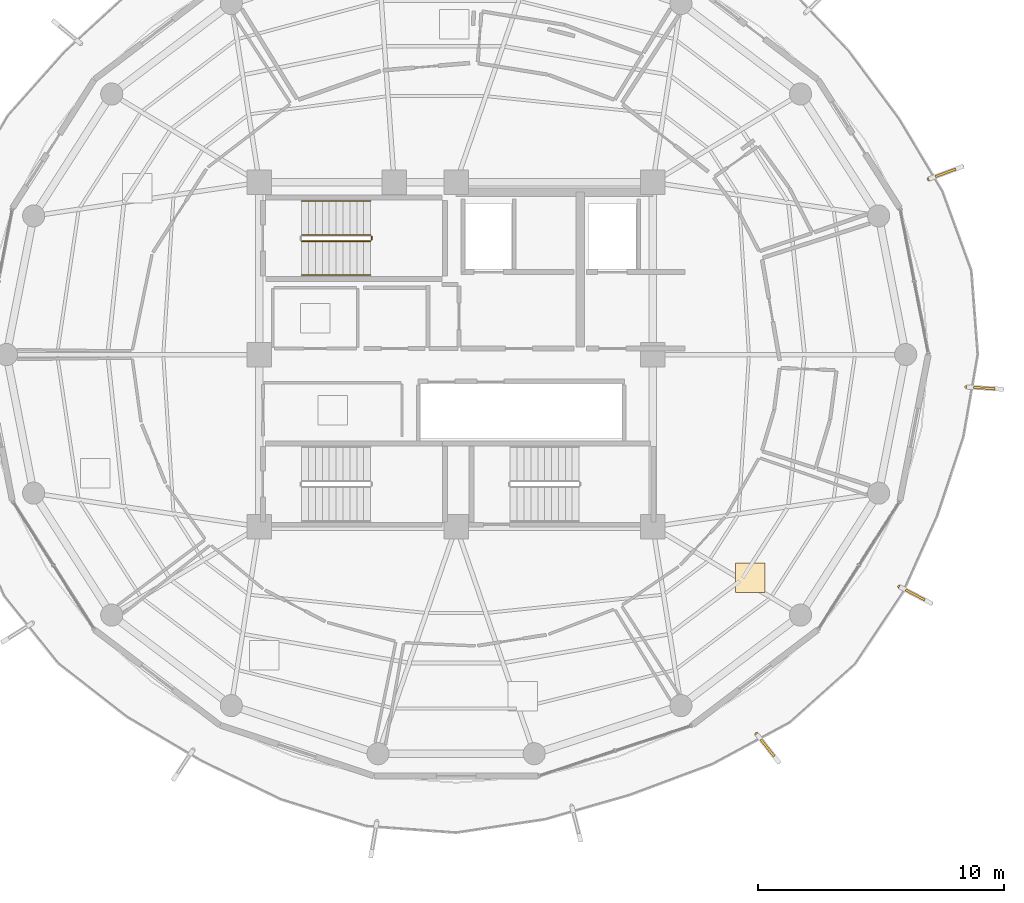
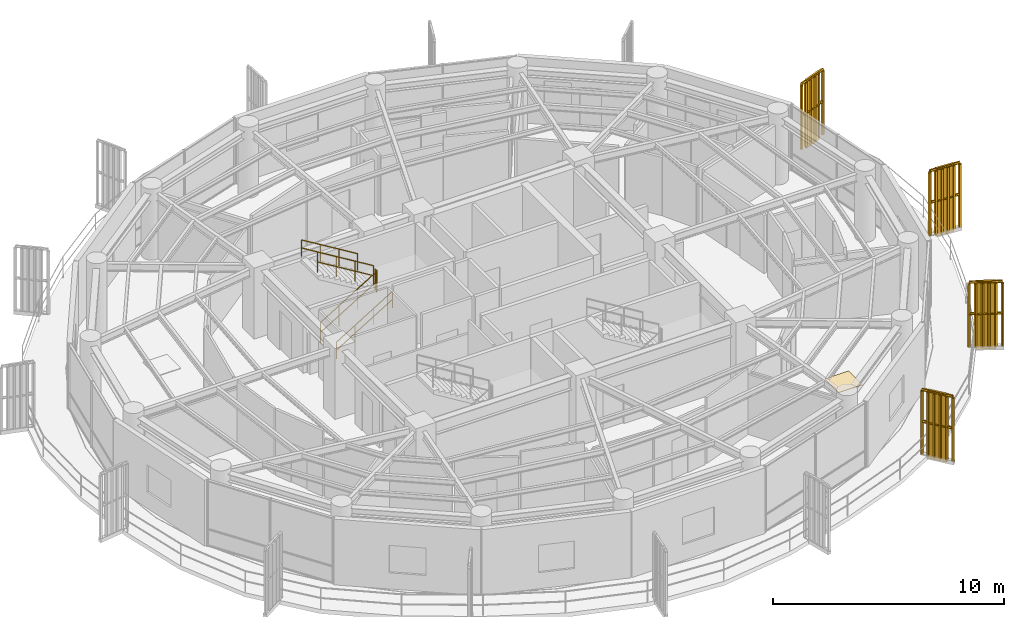
# One storey, part 21 of 22: 9 railings, 4 shading devices, 1 covering.
"""IFC4 building model written with IfcOpenShell, lengths in metres."""

from ifc_helpers import new_model, si_unit, direction, frame, origin, origin_2d, place, context, subcontext, project, spatial, polyline, rectangle, outline, extrude, source, transform, mapped, material, layer, layer_set, type_object, element, save


model = new_model("IFC4")

# Units and contexts
model_context = context("Model", 3, precision=1e-05, world=origin(), true_north=direction((0.0, 1.0)))
body_context = subcontext(model_context, "Body", "Model", "MODEL_VIEW")
ifc_project = project(units=[si_unit("LENGTHUNIT", "METRE"), si_unit("AREAUNIT", "SQUARE_METRE"), si_unit("VOLUMEUNIT", "CUBIC_METRE"), si_unit("PLANEANGLEUNIT", "RADIAN"), si_unit("MASSUNIT", "GRAM", prefix="KILO")], contexts=[model_context])

# Site, building, storey
site_placement = place(None, origin())
site = spatial("IfcSite", under=ifc_project, at=site_placement, CompositionType="ELEMENT")
building_placement = place(site_placement, origin())
building = spatial("IfcBuilding", under=site, at=building_placement, Name="Kelanora Arch Commons", CompositionType="ELEMENT")
storey_placement = place(building_placement, frame((0.0, 0.0, 263.699951171875)))
storey = spatial("IfcBuildingStorey", under=building, at=storey_placement, Name="L67", CompositionType="ELEMENT", Elevation=263.699951171875)

# Railings
ifc_material_1 = material(Name="Anodised bronze vertical shading fin rib assembly")
railing_type_1 = type_object("IfcRailingType", Name="RAIL-FIN-BRZ", PredefinedType="BALUSTRADE", material=ifc_material_1)
railing_1_placement = place(storey_placement, frame((92.02587890625, 48.56298828125, -0.02001953125)))
element("IfcRailing", 1, at=railing_1_placement, inside=storey, type_object=railing_type_1, Name="Sweeping Bronze Vertical Fin Blade L67-00", PredefinedType="BALUSTRADE", context=body_context, shape_type="SweptSolid", body=[
    extrude(outline(polyline([(0.06982421875, 0.0), (0.034912109375, 0.060546875), (-0.034912109375, 0.060546875), (-0.06982421875, 0.0), (-0.034912109375, -0.060546875), (0.034912109375, -0.060546875), (0.06982421875, 0.0)])), frame((0.0, 0.0, 3.419921875), z_axis=(0.885970224122, -0.463742128741, 0.0), x_axis=(0.463742128741, 0.885970224122, 0.0)), (0.0, 0.0, 1.0), 1.44677734375),
    extrude(outline(polyline([(0.06982421875, 0.0), (0.034912109375, 0.060546875), (-0.034912109375, 0.060546875), (-0.06982421875, 0.0), (-0.034912109375, -0.060546875), (0.034912109375, -0.060546875), (0.06982421875, 0.0)])), frame((0.0, 0.0, 1.7451171875), z_axis=(0.885970224122, -0.463742128741, 0.0), x_axis=(0.463742128741, 0.885970224122, 0.0)), (0.0, 0.0, 1.0), 1.44677734375),
    extrude(outline(polyline([(0.080078125, 0.0), (0.0400390625, 0.0693359375), (-0.0400390625, 0.0693359375), (-0.080078125, 0.0), (-0.0400390625, -0.0693359375), (0.0400390625, -0.0693359375), (0.080078125, 0.0)])), origin(), (0.0, 0.0, 1.0), 3.35009765625),
    extrude(outline(polyline([(0.080078125, 0.0), (0.0400390625, 0.0693359375), (-0.0400390625, 0.0693359375), (-0.080078125, 0.0), (-0.0400390625, -0.0693359375), (0.0400390625, -0.0693359375), (0.080078125, 0.0)])), frame((0.25634765625, -0.13427734375, 0.0)), (0.0, 0.0, 1.0), 3.35009765625),
    extrude(outline(polyline([(0.080078125, 0.0), (0.0400390625, 0.0693359375), (-0.0400390625, 0.0693359375), (-0.080078125, 0.0), (-0.0400390625, -0.0693359375), (0.0400390625, -0.0693359375), (0.080078125, 0.0)])), frame((0.5126953125, -0.268310546875, 0.0)), (0.0, 0.0, 1.0), 3.35009765625),
    extrude(outline(polyline([(0.080078125, 0.0), (0.0400390625, 0.0693359375), (-0.0400390625, 0.0693359375), (-0.080078125, 0.0), (-0.0400390625, -0.0693359375), (0.0400390625, -0.0693359375), (0.080078125, 0.0)])), frame((0.76904296875, -0.402587890625, 0.0)), (0.0, 0.0, 1.0), 3.35009765625),
    extrude(outline(polyline([(0.080078125, 0.0), (0.0400390625, 0.0693359375), (-0.0400390625, 0.0693359375), (-0.080078125, 0.0), (-0.0400390625, -0.0693359375), (0.0400390625, -0.0693359375), (0.080078125, 0.0)])), frame((1.025390625, -0.53662109375, 0.0)), (0.0, 0.0, 1.0), 3.35009765625),
    extrude(outline(polyline([(0.080078125, 0.0), (0.0400390625, 0.0693359375), (-0.0400390625, 0.0693359375), (-0.080078125, 0.0), (-0.0400390625, -0.0693359375), (0.0400390625, -0.0693359375), (0.080078125, 0.0)])), frame((1.28173828125, -0.6708984375, 0.0)), (0.0, 0.0, 1.0), 3.35009765625),
])
railing_2_placement = place(storey_placement, frame((94.751953125, 56.682373046875, -0.02001953125)))
element("IfcRailing", 2, at=railing_2_placement, inside=storey, type_object=railing_type_1, Name="Sweeping Bronze Vertical Fin Blade L67-01", PredefinedType="BALUSTRADE", context=body_context, shape_type="SweptSolid", body=[
    extrude(outline(polyline([(0.06982421875, 0.0), (0.034912109375, 0.060546875), (-0.034912109375, 0.060546875), (-0.06982421875, 0.0), (-0.034912109375, -0.060546875), (0.034912109375, -0.060546875), (0.06982421875, 0.0)])), frame((0.0, 0.0, 3.419921875), z_axis=(0.997995700186, -0.063281769964, 0.0), x_axis=(0.063281769964, 0.997995700186, 0.0)), (0.0, 0.0, 1.0), 1.44677734375),
    extrude(outline(polyline([(0.06982421875, 0.0), (0.034912109375, 0.060546875), (-0.034912109375, 0.060546875), (-0.06982421875, 0.0), (-0.034912109375, -0.060546875), (0.034912109375, -0.060546875), (0.06982421875, 0.0)])), frame((0.0, 0.0, 1.7451171875), z_axis=(0.997995700186, -0.063281769964, 0.0), x_axis=(0.063281769964, 0.997995700186, 0.0)), (0.0, 0.0, 1.0), 1.44677734375),
    extrude(outline(polyline([(0.080078125, 0.0), (0.0400390625, 0.0693359375), (-0.0400390625, 0.0693359375), (-0.080078125, 0.0), (-0.0400390625, -0.0693359375), (0.0400390625, -0.0693359375), (0.080078125, 0.0)])), origin(), (0.0, 0.0, 1.0), 3.35009765625),
    extrude(outline(polyline([(0.080078125, 0.0), (0.0400390625, 0.0693359375), (-0.0400390625, 0.0693359375), (-0.080078125, 0.0), (-0.0400390625, -0.0693359375), (0.0400390625, -0.0693359375), (0.080078125, 0.0)])), frame((0.288818359375, -0.018310546875, 0.0)), (0.0, 0.0, 1.0), 3.35009765625),
    extrude(outline(polyline([(0.080078125, 0.0), (0.0400390625, 0.0693359375), (-0.0400390625, 0.0693359375), (-0.080078125, 0.0), (-0.0400390625, -0.0693359375), (0.0400390625, -0.0693359375), (0.080078125, 0.0)])), frame((0.57763671875, -0.03662109375, 0.0)), (0.0, 0.0, 1.0), 3.35009765625),
    extrude(outline(polyline([(0.080078125, 0.0), (0.0400390625, 0.0693359375), (-0.0400390625, 0.0693359375), (-0.080078125, 0.0), (-0.0400390625, -0.0693359375), (0.0400390625, -0.0693359375), (0.080078125, 0.0)])), frame((0.8662109375, -0.054931640625, 0.0)), (0.0, 0.0, 1.0), 3.35009765625),
    extrude(outline(polyline([(0.080078125, 0.0), (0.0400390625, 0.0693359375), (-0.0400390625, 0.0693359375), (-0.080078125, 0.0), (-0.0400390625, -0.0693359375), (0.0400390625, -0.0693359375), (0.080078125, 0.0)])), frame((1.155029296875, -0.0732421875, 0.0)), (0.0, 0.0, 1.0), 3.35009765625),
    extrude(outline(polyline([(0.080078125, 0.0), (0.0400390625, 0.0693359375), (-0.0400390625, 0.0693359375), (-0.080078125, 0.0), (-0.0400390625, -0.0693359375), (0.0400390625, -0.0693359375), (0.080078125, 0.0)])), frame((1.44384765625, -0.091552734375, 0.0)), (0.0, 0.0, 1.0), 3.35009765625),
])
railing_3_placement = place(storey_placement, frame((93.219970703125, 65.13525390625, -0.02001953125)))
element("IfcRailing", 3, at=railing_3_placement, inside=storey, type_object=railing_type_1, Name="Sweeping Bronze Vertical Fin Blade L67-02", PredefinedType="BALUSTRADE", context=body_context, shape_type="SweptSolid", body=[
    extrude(outline(polyline([(0.06982421875, 0.0), (0.034912109375, 0.060546875), (-0.034912109375, 0.060546875), (-0.06982421875, 0.0), (-0.034912109375, -0.060546875), (0.034912109375, -0.060546875), (0.06982421875, 0.0)])), frame((0.0, 0.0, 3.419921875), z_axis=(0.937496076297, 0.347995843263, 0.0), x_axis=(-0.347995843263, 0.937496076297, 0.0)), (0.0, 0.0, 1.0), 1.446533203125),
    extrude(outline(polyline([(0.06982421875, 0.0), (0.034912109375, 0.060546875), (-0.034912109375, 0.060546875), (-0.06982421875, 0.0), (-0.034912109375, -0.060546875), (0.034912109375, -0.060546875), (0.06982421875, 0.0)])), frame((0.0, 0.0, 1.7451171875), z_axis=(0.937496076297, 0.347995843263, 0.0), x_axis=(-0.347995843263, 0.937496076297, 0.0)), (0.0, 0.0, 1.0), 1.446533203125),
    extrude(outline(polyline([(0.080078125, 0.0), (0.0400390625, 0.0693359375), (-0.0400390625, 0.0693359375), (-0.080078125, 0.0), (-0.0400390625, -0.0693359375), (0.0400390625, -0.0693359375), (0.080078125, 0.0)])), origin(), (0.0, 0.0, 1.0), 3.35009765625),
    extrude(outline(polyline([(0.080078125, 0.0), (0.0400390625, 0.0693359375), (-0.0400390625, 0.0693359375), (-0.080078125, 0.0), (-0.0400390625, -0.0693359375), (0.0400390625, -0.0693359375), (0.080078125, 0.0)])), frame((0.271240234375, 0.1005859375, 0.0)), (0.0, 0.0, 1.0), 3.35009765625),
    extrude(outline(polyline([(0.080078125, 0.0), (0.0400390625, 0.0693359375), (-0.0400390625, 0.0693359375), (-0.080078125, 0.0), (-0.0400390625, -0.0693359375), (0.0400390625, -0.0693359375), (0.080078125, 0.0)])), frame((0.54248046875, 0.201416015625, 0.0)), (0.0, 0.0, 1.0), 3.35009765625),
    extrude(outline(polyline([(0.080078125, 0.0), (0.0400390625, 0.0693359375), (-0.0400390625, 0.0693359375), (-0.080078125, 0.0), (-0.0400390625, -0.0693359375), (0.0400390625, -0.0693359375), (0.080078125, 0.0)])), frame((0.813720703125, 0.302001953125, 0.0)), (0.0, 0.0, 1.0), 3.35009765625),
    extrude(outline(polyline([(0.080078125, 0.0), (0.0400390625, 0.0693359375), (-0.0400390625, 0.0693359375), (-0.080078125, 0.0), (-0.0400390625, -0.0693359375), (0.0400390625, -0.0693359375), (0.080078125, 0.0)])), frame((1.0849609375, 0.40283203125, 0.0)), (0.0, 0.0, 1.0), 3.35009765625),
    extrude(outline(polyline([(0.080078125, 0.0), (0.0400390625, 0.0693359375), (-0.0400390625, 0.0693359375), (-0.080078125, 0.0), (-0.0400390625, -0.0693359375), (0.0400390625, -0.0693359375), (0.080078125, 0.0)])), frame((1.356201171875, 0.50341796875, 0.0)), (0.0, 0.0, 1.0), 3.35009765625),
])
railing_4_placement = place(storey_placement, frame((86.217041015625, 42.56787109375, -0.02001953125)))
element("IfcRailing", 4, at=railing_4_placement, inside=storey, type_object=railing_type_1, Name="Sweeping Bronze Vertical Fin Blade L67-14", PredefinedType="BALUSTRADE", context=body_context, shape_type="SweptSolid", body=[
    extrude(outline(polyline([(0.06982421875, 0.0), (0.034912109375, 0.060546875), (-0.034912109375, 0.060546875), (-0.06982421875, 0.0), (-0.034912109375, -0.060546875), (0.034912109375, -0.060546875), (0.06982421875, 0.0)])), frame((0.0, 0.0, 3.419921875), z_axis=(0.620694299274, -0.784052668415, 0.0), x_axis=(0.784052668415, 0.620694299274, 0.0)), (0.0, 0.0, 1.0), 1.44677734375),
    extrude(outline(polyline([(0.06982421875, 0.0), (0.034912109375, 0.060546875), (-0.034912109375, 0.060546875), (-0.06982421875, 0.0), (-0.034912109375, -0.060546875), (0.034912109375, -0.060546875), (0.06982421875, 0.0)])), frame((0.0, 0.0, 1.7451171875), z_axis=(0.620694299274, -0.784052668415, 0.0), x_axis=(0.784052668415, 0.620694299274, 0.0)), (0.0, 0.0, 1.0), 1.44677734375),
    extrude(outline(polyline([(0.080078125, 0.0), (0.0400390625, 0.0693359375), (-0.0400390625, 0.0693359375), (-0.080078125, 0.0), (-0.0400390625, -0.0693359375), (0.0400390625, -0.0693359375), (0.080078125, 0.0)])), origin(), (0.0, 0.0, 1.0), 3.35009765625),
    extrude(outline(polyline([(0.080078125, 0.0), (0.0400390625, 0.0693359375), (-0.0400390625, 0.0693359375), (-0.080078125, 0.0), (-0.0400390625, -0.0693359375), (0.0400390625, -0.0693359375), (0.080078125, 0.0)])), frame((0.1796875, -0.226806640625, 0.0)), (0.0, 0.0, 1.0), 3.35009765625),
    extrude(outline(polyline([(0.080078125, 0.0), (0.0400390625, 0.0693359375), (-0.0400390625, 0.0693359375), (-0.080078125, 0.0), (-0.0400390625, -0.0693359375), (0.0400390625, -0.0693359375), (0.080078125, 0.0)])), frame((0.359130859375, -0.45361328125, 0.0)), (0.0, 0.0, 1.0), 3.35009765625),
    extrude(outline(polyline([(0.080078125, 0.0), (0.0400390625, 0.0693359375), (-0.0400390625, 0.0693359375), (-0.080078125, 0.0), (-0.0400390625, -0.0693359375), (0.0400390625, -0.0693359375), (0.080078125, 0.0)])), frame((0.538818359375, -0.6806640625, 0.0)), (0.0, 0.0, 1.0), 3.35009765625),
    extrude(outline(polyline([(0.080078125, 0.0), (0.0400390625, 0.0693359375), (-0.0400390625, 0.0693359375), (-0.080078125, 0.0), (-0.0400390625, -0.0693359375), (0.0400390625, -0.0693359375), (0.080078125, 0.0)])), frame((0.71826171875, -0.907470703125, 0.0)), (0.0, 0.0, 1.0), 3.35009765625),
    extrude(outline(polyline([(0.080078125, 0.0), (0.0400390625, 0.0693359375), (-0.0400390625, 0.0693359375), (-0.080078125, 0.0), (-0.0400390625, -0.0693359375), (0.0400390625, -0.0693359375), (0.080078125, 0.0)])), frame((0.89794921875, -1.13427734375, 0.0)), (0.0, 0.0, 1.0), 3.35009765625),
])
ifc_material_2 = material(Name="Painted steel stair well guard", Category="steel")
railing_type_2 = type_object("IfcRailingType", Name="RAIL-STAIR-GRD", PredefinedType="GUARDRAIL", material=ifc_material_2)
railing_5_placement = place(storey_placement, frame((67.719970703125, 62.610107421875, 0.17041015625)))
element("IfcRailing", 5, at=railing_5_placement, inside=storey, type_object=railing_type_2, Name="L67 ST-T1 stair guard 1", PredefinedType="GUARDRAIL", context=body_context, shape_type="SweptSolid", body=[
    extrude(outline(polyline([(0.02392578125, 0.0), (0.011962890625, 0.020751953125), (-0.011962890625, 0.020751953125), (-0.02392578125, 0.0), (-0.011962890625, -0.020751953125), (0.011962890625, -0.020751953125), (0.02392578125, 0.0)])), frame((0.0, 0.0, 1.076171875), z_axis=(0.854169791009, 0.0, 0.51999420009), x_axis=(0.0, 1.0, 0.0)), (0.0, 0.0, 1.0), 3.278076171875),
    extrude(outline(polyline([(0.02392578125, 0.0), (0.011962890625, 0.020751953125), (-0.011962890625, 0.020751953125), (-0.02392578125, 0.0), (-0.011962890625, -0.020751953125), (0.011962890625, -0.020751953125), (0.02392578125, 0.0)])), frame((0.0, 0.0, 0.550048828125), z_axis=(0.854169791009, 0.0, 0.51999420009), x_axis=(0.0, 1.0, 0.0)), (0.0, 0.0, 1.0), 3.278076171875),
    extrude(outline(polyline([(0.02099609375, 0.0), (0.010498046875, 0.01806640625), (-0.010498046875, 0.01806640625), (-0.02099609375, 0.0), (-0.010498046875, -0.01806640625), (0.010498046875, -0.01806640625), (0.02099609375, 0.0)])), origin(), (0.0, 0.0, 1.0), 1.052001953125),
    extrude(outline(polyline([(0.02099609375, 0.0), (0.010498046875, 0.01806640625), (-0.010498046875, 0.01806640625), (-0.02099609375, 0.0), (-0.010498046875, -0.01806640625), (0.010498046875, -0.01806640625), (0.02099609375, 0.0)])), frame((0.933349609375, 0.0, 0.568115234375)), (0.0, 0.0, 1.0), 1.052001953125),
    extrude(outline(polyline([(0.02099609375, 0.0), (0.010498046875, 0.01806640625), (-0.010498046875, 0.01806640625), (-0.02099609375, 0.0), (-0.010498046875, -0.01806640625), (0.010498046875, -0.01806640625), (0.02099609375, 0.0)])), frame((1.86669921875, 0.0, 1.136474609375)), (0.0, 0.0, 1.0), 1.052001953125),
    extrude(outline(polyline([(0.02099609375, 0.0), (0.010498046875, 0.01806640625), (-0.010498046875, 0.01806640625), (-0.02099609375, 0.0), (-0.010498046875, -0.01806640625), (0.010498046875, -0.01806640625), (0.02099609375, 0.0)])), frame((2.800048828125, 0.0, 1.70458984375)), (0.0, 0.0, 1.0), 1.052001953125),
])
railing_6_placement = place(storey_placement, frame((70.570068359375, 62.659912109375, 1.875)))
element("IfcRailing", 6, at=railing_6_placement, inside=storey, type_object=railing_type_2, Name="L67 ST-T1 stair guard 2", PredefinedType="GUARDRAIL", context=body_context, shape_type="SweptSolid", body=[
    extrude(outline(polyline([(0.02392578125, 0.0), (0.011962890625, 0.020751953125), (-0.011962890625, 0.020751953125), (-0.02392578125, 0.0), (-0.011962890625, -0.020751953125), (0.011962890625, -0.020751953125), (0.02392578125, 0.0)])), frame((0.0, 0.0, 1.076171875), z_axis=(0.0, 1.0, 0.0), x_axis=(-1.0, 0.0, 0.0)), (0.0, 0.0, 1.0), 0.150146484375),
    extrude(outline(polyline([(0.02392578125, 0.0), (0.011962890625, 0.020751953125), (-0.011962890625, 0.020751953125), (-0.02392578125, 0.0), (-0.011962890625, -0.020751953125), (0.011962890625, -0.020751953125), (0.02392578125, 0.0)])), frame((0.0, 0.0, 0.550048828125), z_axis=(0.0, 1.0, 0.0), x_axis=(-1.0, 0.0, 0.0)), (0.0, 0.0, 1.0), 0.150146484375),
    extrude(outline(polyline([(0.02099609375, 0.0), (0.010498046875, 0.01806640625), (-0.010498046875, 0.01806640625), (-0.02099609375, 0.0), (-0.010498046875, -0.01806640625), (0.010498046875, -0.01806640625), (0.02099609375, 0.0)])), origin(), (0.0, 0.0, 1.0), 1.052001953125),
    extrude(outline(polyline([(0.02099609375, 0.0), (0.010498046875, 0.01806640625), (-0.010498046875, 0.01806640625), (-0.02099609375, 0.0), (-0.010498046875, -0.01806640625), (0.010498046875, -0.01806640625), (0.02099609375, 0.0)])), frame((0.0, 0.150146484375, 0.0)), (0.0, 0.0, 1.0), 1.052001953125),
])
railing_7_placement = place(storey_placement, frame((70.52001953125, 62.860107421875, 2.04541015625)))
element("IfcRailing", 7, at=railing_7_placement, inside=storey, type_object=railing_type_2, Name="L67 ST-T1 stair guard 3", PredefinedType="GUARDRAIL", context=body_context, shape_type="SweptSolid", body=[
    extrude(outline(polyline([(0.02392578125, 0.0), (0.011962890625, 0.020751953125), (-0.011962890625, 0.020751953125), (-0.02392578125, 0.0), (-0.011962890625, -0.020751953125), (0.011962890625, -0.020751953125), (0.02392578125, 0.0)])), frame((0.0, 0.0, 1.076171875), z_axis=(-0.854169791009, 0.0, 0.51999420009), x_axis=(0.0, -1.0, 0.0)), (0.0, 0.0, 1.0), 3.278076171875),
    extrude(outline(polyline([(0.02392578125, 0.0), (0.011962890625, 0.020751953125), (-0.011962890625, 0.020751953125), (-0.02392578125, 0.0), (-0.011962890625, -0.020751953125), (0.011962890625, -0.020751953125), (0.02392578125, 0.0)])), frame((0.0, 0.0, 0.550048828125), z_axis=(-0.854169791009, 0.0, 0.51999420009), x_axis=(0.0, -1.0, 0.0)), (0.0, 0.0, 1.0), 3.278076171875),
    extrude(outline(polyline([(0.02099609375, 0.0), (0.010498046875, 0.01806640625), (-0.010498046875, 0.01806640625), (-0.02099609375, 0.0), (-0.010498046875, -0.01806640625), (0.010498046875, -0.01806640625), (0.02099609375, 0.0)])), origin(), (0.0, 0.0, 1.0), 1.052001953125),
    extrude(outline(polyline([(0.02099609375, 0.0), (0.010498046875, 0.01806640625), (-0.010498046875, 0.01806640625), (-0.02099609375, 0.0), (-0.010498046875, -0.01806640625), (0.010498046875, -0.01806640625), (0.02099609375, 0.0)])), frame((-0.933349609375, 0.0, 0.568115234375)), (0.0, 0.0, 1.0), 1.052001953125),
    extrude(outline(polyline([(0.02099609375, 0.0), (0.010498046875, 0.01806640625), (-0.010498046875, 0.01806640625), (-0.02099609375, 0.0), (-0.010498046875, -0.01806640625), (0.010498046875, -0.01806640625), (0.02099609375, 0.0)])), frame((-1.86669921875, 0.0, 1.136474609375)), (0.0, 0.0, 1.0), 1.052001953125),
    extrude(outline(polyline([(0.02099609375, 0.0), (0.010498046875, 0.01806640625), (-0.010498046875, 0.01806640625), (-0.02099609375, 0.0), (-0.010498046875, -0.01806640625), (0.010498046875, -0.01806640625), (0.02099609375, 0.0)])), frame((-2.800048828125, 0.0, 1.70458984375)), (0.0, 0.0, 1.0), 1.052001953125),
])
ifc_material_3 = material(Name="Brushed stainless steel stair handrail", Category="steel")
railing_type_3 = type_object("IfcRailingType", Name="RAIL-STAIR-HND", PredefinedType="HANDRAIL", material=ifc_material_3)
railing_8_placement = place(storey_placement, frame((67.719970703125, 61.22998046875, 0.17041015625)))
element("IfcRailing", 8, at=railing_8_placement, inside=storey, type_object=railing_type_3, Name="L67 ST-T1 stair handrail 1", PredefinedType="HANDRAIL", context=body_context, shape_type="SweptSolid", body=[
    extrude(outline(polyline([(0.02392578125, 0.0), (0.011962890625, 0.020751953125), (-0.011962890625, 0.020751953125), (-0.02392578125, 0.0), (-0.011962890625, -0.020751953125), (0.011962890625, -0.020751953125), (0.02392578125, 0.0)])), frame((0.0, 0.0, 0.8759765625), z_axis=(0.854169791009, 0.0, 0.51999420009), x_axis=(0.0, 1.0, 0.0)), (0.0, 0.0, 1.0), 3.278076171875),
    extrude(outline(polyline([(0.02392578125, 0.0), (0.011962890625, 0.020751953125), (-0.011962890625, 0.020751953125), (-0.02392578125, 0.0), (-0.011962890625, -0.020751953125), (0.011962890625, -0.020751953125), (0.02392578125, 0.0)])), frame((0.0, 0.0, 0.449951171875), z_axis=(0.854169791009, 0.0, 0.51999420009), x_axis=(0.0, 1.0, 0.0)), (0.0, 0.0, 1.0), 3.278076171875),
    extrude(outline(polyline([(0.02099609375, 0.0), (0.010498046875, 0.01806640625), (-0.010498046875, 0.01806640625), (-0.02099609375, 0.0), (-0.010498046875, -0.01806640625), (0.010498046875, -0.01806640625), (0.02099609375, 0.0)])), origin(), (0.0, 0.0, 1.0), 0.851806640625),
    extrude(outline(polyline([(0.02099609375, 0.0), (0.010498046875, 0.01806640625), (-0.010498046875, 0.01806640625), (-0.02099609375, 0.0), (-0.010498046875, -0.01806640625), (0.010498046875, -0.01806640625), (0.02099609375, 0.0)])), frame((0.933349609375, 0.0, 0.568115234375)), (0.0, 0.0, 1.0), 0.851806640625),
    extrude(outline(polyline([(0.02099609375, 0.0), (0.010498046875, 0.01806640625), (-0.010498046875, 0.01806640625), (-0.02099609375, 0.0), (-0.010498046875, -0.01806640625), (0.010498046875, -0.01806640625), (0.02099609375, 0.0)])), frame((1.86669921875, 0.0, 1.136474609375)), (0.0, 0.0, 1.0), 0.851806640625),
    extrude(outline(polyline([(0.02099609375, 0.0), (0.010498046875, 0.01806640625), (-0.010498046875, 0.01806640625), (-0.02099609375, 0.0), (-0.010498046875, -0.01806640625), (0.010498046875, -0.01806640625), (0.02099609375, 0.0)])), frame((2.800048828125, 0.0, 1.70458984375)), (0.0, 0.0, 1.0), 0.851806640625),
])
railing_9_placement = place(storey_placement, frame((70.52001953125, 64.239990234375, 2.04541015625)))
element("IfcRailing", 9, at=railing_9_placement, inside=storey, type_object=railing_type_3, Name="L67 ST-T1 stair handrail 2", PredefinedType="HANDRAIL", context=body_context, shape_type="SweptSolid", body=[
    extrude(outline(polyline([(0.02392578125, 0.0), (0.011962890625, 0.020751953125), (-0.011962890625, 0.020751953125), (-0.02392578125, 0.0), (-0.011962890625, -0.020751953125), (0.011962890625, -0.020751953125), (0.02392578125, 0.0)])), frame((0.0, 0.0, 0.8759765625), z_axis=(-0.854169791009, 0.0, 0.51999420009), x_axis=(0.0, -1.0, 0.0)), (0.0, 0.0, 1.0), 3.278076171875),
    extrude(outline(polyline([(0.02392578125, 0.0), (0.011962890625, 0.020751953125), (-0.011962890625, 0.020751953125), (-0.02392578125, 0.0), (-0.011962890625, -0.020751953125), (0.011962890625, -0.020751953125), (0.02392578125, 0.0)])), frame((0.0, 0.0, 0.449951171875), z_axis=(-0.854169791009, 0.0, 0.51999420009), x_axis=(0.0, -1.0, 0.0)), (0.0, 0.0, 1.0), 3.278076171875),
    extrude(outline(polyline([(0.02099609375, 0.0), (0.010498046875, 0.01806640625), (-0.010498046875, 0.01806640625), (-0.02099609375, 0.0), (-0.010498046875, -0.01806640625), (0.010498046875, -0.01806640625), (0.02099609375, 0.0)])), origin(), (0.0, 0.0, 1.0), 0.851806640625),
    extrude(outline(polyline([(0.02099609375, 0.0), (0.010498046875, 0.01806640625), (-0.010498046875, 0.01806640625), (-0.02099609375, 0.0), (-0.010498046875, -0.01806640625), (0.010498046875, -0.01806640625), (0.02099609375, 0.0)])), frame((-0.933349609375, 0.0, 0.568115234375)), (0.0, 0.0, 1.0), 0.851806640625),
    extrude(outline(polyline([(0.02099609375, 0.0), (0.010498046875, 0.01806640625), (-0.010498046875, 0.01806640625), (-0.02099609375, 0.0), (-0.010498046875, -0.01806640625), (0.010498046875, -0.01806640625), (0.02099609375, 0.0)])), frame((-1.86669921875, 0.0, 1.136474609375)), (0.0, 0.0, 1.0), 0.851806640625),
    extrude(outline(polyline([(0.02099609375, 0.0), (0.010498046875, 0.01806640625), (-0.010498046875, 0.01806640625), (-0.02099609375, 0.0), (-0.010498046875, -0.01806640625), (0.010498046875, -0.01806640625), (0.02099609375, 0.0)])), frame((-2.800048828125, 0.0, 1.70458984375)), (0.0, 0.0, 1.0), 0.851806640625),
])

# Shading devices
ifc_material_4 = material(Name="Terracotta ceramic-clad extruded aluminium fin", Category="masonry")
shading_device_type = type_object("IfcShadingDeviceType", Name="SHD-FIN-FLARE", PredefinedType="USERDEFINED", material=ifc_material_4)
shared_shape_1 = source(origin(), body_context, "Body", "SweptSolid", [
    extrude(rectangle(XDim=0.8798828125, YDim=0.090087890625, at=origin_2d()), origin(), (0.0, 0.0, 1.0), 3.610107421875),
])
for number, where, z_axis, x_axis, name in (
    (10, (92.663818359375, 48.229248046875, -0.14013671875), (0.0, 0.0, 1.0), (0.885960876527, -0.4637599867, 0.0), "Sweeping Terracotta Fin L67-00"),
    (11, (95.470458984375, 56.63671875, -0.14013671875), (0.0, 0.0, 1.0), (0.997993714583, -0.063313076471, 0.0), "Sweeping Terracotta Fin L67-01"),
    (12, (93.894775390625, 65.3857421875, -0.14013671875), (0.0, 0.0, 1.0), (0.9374643729, 0.348081239861, 0.0), "Sweeping Terracotta Fin L67-02"),
    (13, (86.663818359375, 42.003173828125, -0.14013671875), (0.0, 0.0, 1.0), (0.620737354217, -0.784018582101, 0.0), "Sweeping Terracotta Fin L67-14"),
):
    element("IfcShadingDevice", number, at=place(storey_placement, frame(where, z_axis=z_axis, x_axis=x_axis)), inside=storey, type_object=shading_device_type, Name=name, ObjectType="FIN", PredefinedType="USERDEFINED", context=body_context, shape_type="MappedRepresentation", body=[
        mapped(shared_shape_1, transform((0.0, 0.0, 0.0), scale=1.0)),
    ])

# Covering
ifc_material_5 = material(Name="Polished local granite terrazzo flooring", Category="masonry")
ifc_layer = layer(ifc_material_5, 0.030029296875)
ifc_layer_set = layer_set([ifc_layer], Name="Polished local granite terrazzo flooring")
covering_type = type_object("IfcCoveringType", Name="COV-FLR-TER", PredefinedType="FLOORING", material=ifc_layer_set)
shared_shape_2 = source(origin(), body_context, "Body", "SweptSolid", [
    extrude(rectangle(XDim=1.199951171875, YDim=1.199951171875, at=origin_2d()), origin(), (0.0, 0.0, 1.0), 0.030029296875),
])
covering_placement = place(storey_placement, frame((85.959228515625, 48.930419921875, 0.0), z_axis=(0.0, 0.0, 1.0), x_axis=(1.0, 0.0, 0.0)))
element("IfcCovering", 14, at=covering_placement, inside=storey, type_object=covering_type, Name="Communal Dining and Social Hall L67-07 Terrazzo Finish", PredefinedType="FLOORING", context=body_context, shape_type="MappedRepresentation", body=[
    mapped(shared_shape_2, transform((0.0, 0.0, 0.0), scale=1.0)),
])

save(model, "model.ifc")
